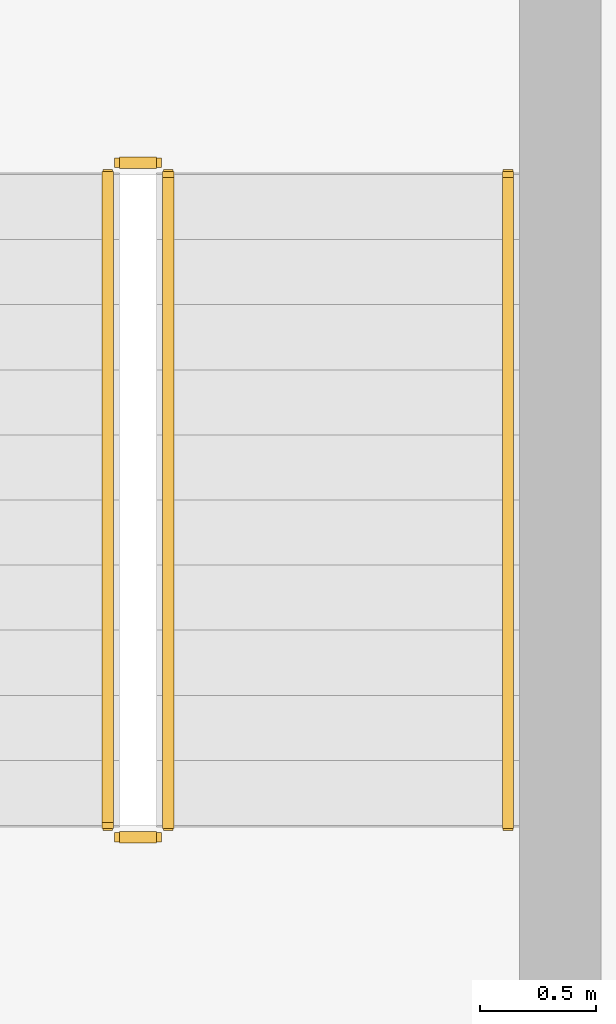
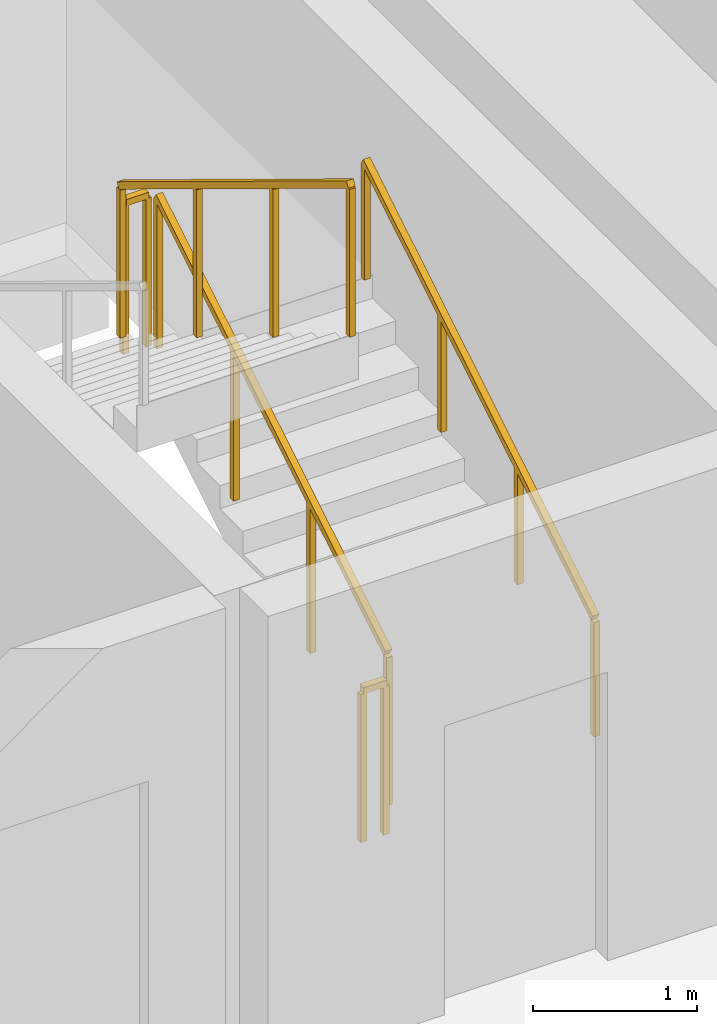
# One storey, part 14 of 14: 5 railings.
"""IFC4 building model written with IfcOpenShell, lengths in metres."""

from ifc_helpers import new_model, si_unit, direction, frame, origin, origin_2d, place, context, subcontext, project, spatial, rectangle, extrude, material, type_object, element, save


model = new_model("IFC4")

# Units and contexts
model_context = context("Model", 3, precision=1e-05, world=origin(), true_north=direction((0.0, 1.0)))
body_context = subcontext(model_context, "Body", "Model", "MODEL_VIEW")
ifc_project = project(units=[si_unit("LENGTHUNIT", "METRE"), si_unit("AREAUNIT", "SQUARE_METRE"), si_unit("VOLUMEUNIT", "CUBIC_METRE"), si_unit("PLANEANGLEUNIT", "RADIAN"), si_unit("MASSUNIT", "GRAM", prefix="KILO")], contexts=[model_context])

# Site, building, storey
site_placement = place(None, origin())
site = spatial("IfcSite", under=ifc_project, at=site_placement, CompositionType="ELEMENT")
building_placement = place(site_placement, origin())
building = spatial("IfcBuilding", under=site, at=building_placement, Name="Kaelvorn Grand Hotel", CompositionType="ELEMENT")
storey_placement = place(building_placement, frame((0.0, 0.0, 76.39990234375)))
storey = spatial("IfcBuildingStorey", under=building, at=storey_placement, Name="L17", CompositionType="ELEMENT", Elevation=76.39990234375)

# Railings
ifc_material = material(Name="Stainless Steel", Category="steel")
railing_type_1 = type_object("IfcRailingType", Name="RL-HANDRAIL-900", PredefinedType="HANDRAIL", material=ifc_material)
railing_1_placement = place(storey_placement, frame((66.550048828125, 41.760009765625, 0.170654296875)))
element("IfcRailing", 1, at=railing_1_placement, inside=storey, type_object=railing_type_1, Name="L17 ST3 stair handrail 1", PredefinedType="HANDRAIL", context=body_context, shape_type="SweptSolid", body=[
    extrude(rectangle(XDim=0.048095703125, YDim=0.048095703125, at=origin_2d()), frame((0.0, 0.0, 0.8759765625), z_axis=(0.0, 0.854202870247, 0.519939858505), x_axis=(-1.0, 0.0, 0.0)), (0.0, 0.0, 1.0), 3.278076171875),
    extrude(rectangle(XDim=0.0419921875, YDim=0.0419921875, at=origin_2d()), origin(), (0.0, 0.0, 1.0), 0.851806640625),
    extrude(rectangle(XDim=0.0419921875, YDim=0.0419921875, at=origin_2d()), frame((0.0, 0.933349609375, 0.568115234375)), (0.0, 0.0, 1.0), 0.851806640625),
    extrude(rectangle(XDim=0.0419921875, YDim=0.0419921875, at=origin_2d()), frame((0.0, 1.86669921875, 1.13623046875)), (0.0, 0.0, 1.0), 0.851806640625),
    extrude(rectangle(XDim=0.0419921875, YDim=0.0419921875, at=origin_2d()), frame((0.0, 2.800048828125, 1.704345703125)), (0.0, 0.0, 1.0), 0.851806640625),
])
railing_type_2 = type_object("IfcRailingType", Name="RL-STAIR-GUARD-1150", PredefinedType="BALUSTRADE", material=ifc_material)
railing_2_placement = place(storey_placement, frame((65.090087890625, 41.760009765625, 0.170654296875)))
element("IfcRailing", 2, at=railing_2_placement, inside=storey, type_object=railing_type_2, Name="L17 ST3 stair guard 1", PredefinedType="BALUSTRADE", context=body_context, shape_type="SweptSolid", body=[
    extrude(rectangle(XDim=0.048095703125, YDim=0.048095703125, at=origin_2d()), frame((0.0, 0.0, 1.1259765625), z_axis=(0.0, 0.854202870247, 0.519939858505), x_axis=(-1.0, 0.0, 0.0)), (0.0, 0.0, 1.0), 3.278076171875),
    extrude(rectangle(XDim=0.0419921875, YDim=0.0419921875, at=origin_2d()), origin(), (0.0, 0.0, 1.0), 1.101806640625),
    extrude(rectangle(XDim=0.0419921875, YDim=0.0419921875, at=origin_2d()), frame((0.0, 0.933349609375, 0.568115234375)), (0.0, 0.0, 1.0), 1.101806640625),
    extrude(rectangle(XDim=0.0419921875, YDim=0.0419921875, at=origin_2d()), frame((0.0, 1.86669921875, 1.13623046875)), (0.0, 0.0, 1.0), 1.101806640625),
    extrude(rectangle(XDim=0.0419921875, YDim=0.0419921875, at=origin_2d()), frame((0.0, 2.800048828125, 1.704345703125)), (0.0, 0.0, 1.0), 1.101806640625),
])
railing_3_placement = place(storey_placement, frame((65.0400390625, 44.610107421875, 1.875)))
element("IfcRailing", 3, at=railing_3_placement, inside=storey, type_object=railing_type_2, Name="L17 ST3 stair guard 2", PredefinedType="BALUSTRADE", context=body_context, shape_type="SweptSolid", body=[
    extrude(rectangle(XDim=0.048095703125, YDim=0.048095703125, at=origin_2d()), frame((0.0, 0.0, 1.1259765625), z_axis=(-1.0, 0.0, 0.0), x_axis=(0.0, -1.0, 0.0)), (0.0, 0.0, 1.0), 0.16015625),
    extrude(rectangle(XDim=0.0419921875, YDim=0.0419921875, at=origin_2d()), origin(), (0.0, 0.0, 1.0), 1.101806640625),
    extrude(rectangle(XDim=0.0419921875, YDim=0.0419921875, at=origin_2d()), frame((-0.16015625, 0.0, 0.0)), (0.0, 0.0, 1.0), 1.101806640625),
])
railing_4_placement = place(storey_placement, frame((64.830078125, 44.56005859375, 2.045654296875)))
element("IfcRailing", 4, at=railing_4_placement, inside=storey, type_object=railing_type_2, Name="L17 ST3 stair guard 3", PredefinedType="BALUSTRADE", context=body_context, shape_type="SweptSolid", body=[
    extrude(rectangle(XDim=0.048095703125, YDim=0.048095703125, at=origin_2d()), frame((0.0, 0.0, 1.1259765625), z_axis=(0.0, -0.854202870247, 0.519939858505), x_axis=(1.0, 0.0, 0.0)), (0.0, 0.0, 1.0), 3.278076171875),
    extrude(rectangle(XDim=0.0419921875, YDim=0.0419921875, at=origin_2d()), origin(), (0.0, 0.0, 1.0), 1.101806640625),
    extrude(rectangle(XDim=0.0419921875, YDim=0.0419921875, at=origin_2d()), frame((0.0, -0.933349609375, 0.568115234375)), (0.0, 0.0, 1.0), 1.101806640625),
    extrude(rectangle(XDim=0.0419921875, YDim=0.0419921875, at=origin_2d()), frame((0.0, -1.86669921875, 1.13623046875)), (0.0, 0.0, 1.0), 1.101806640625),
    extrude(rectangle(XDim=0.0419921875, YDim=0.0419921875, at=origin_2d()), frame((0.0, -2.800048828125, 1.704345703125)), (0.0, 0.0, 1.0), 1.101806640625),
])
railing_5_placement = place(storey_placement, frame((65.0400390625, 41.7099609375, 0.0)))
element("IfcRailing", 5, at=railing_5_placement, inside=storey, type_object=railing_type_2, Name="L17 ST3 stair guard 4", PredefinedType="BALUSTRADE", context=body_context, shape_type="SweptSolid", body=[
    extrude(rectangle(XDim=0.048095703125, YDim=0.048095703125, at=origin_2d()), frame((0.0, 0.0, 1.1259765625), z_axis=(-1.0, 0.0, 0.0), x_axis=(0.0, -1.0, 0.0)), (0.0, 0.0, 1.0), 0.16015625),
    extrude(rectangle(XDim=0.0419921875, YDim=0.0419921875, at=origin_2d()), origin(), (0.0, 0.0, 1.0), 1.101806640625),
    extrude(rectangle(XDim=0.0419921875, YDim=0.0419921875, at=origin_2d()), frame((-0.16015625, 0.0, 0.0)), (0.0, 0.0, 1.0), 1.101806640625),
])

save(model, "model.ifc")
